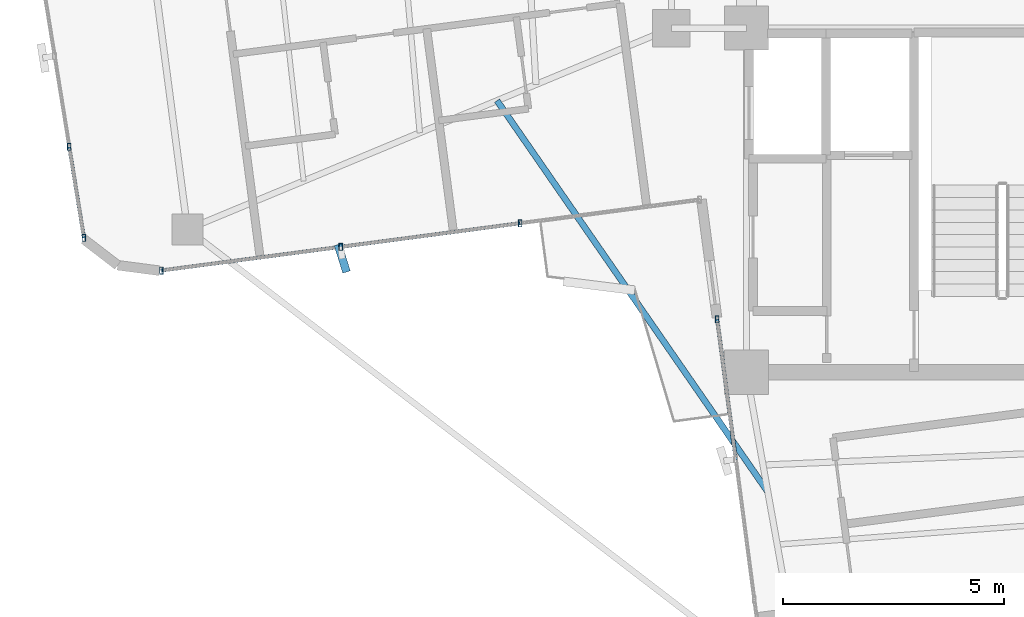
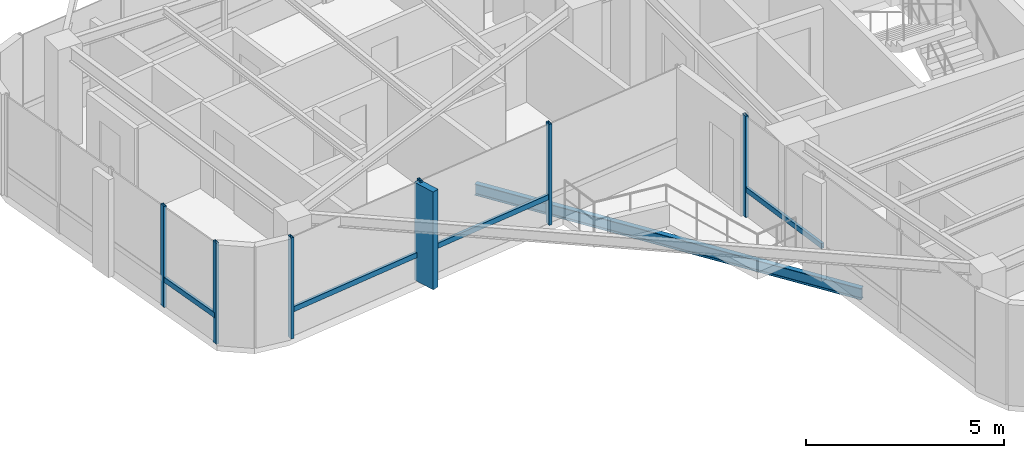
# One storey, part 2 of 22: 11 members, 1 beam, 3 elements without a shape of their own.
"""IFC4 building model written with IfcOpenShell, lengths in metres."""

from ifc_helpers import new_model, si_unit, direction, frame, origin, origin_2d, place, context, subcontext, project, spatial, rectangle, hollow_rectangle, i_section, extrude, source, transform, mapped, material, material_profile, profile_set, type_object, element, aggregate, save


model = new_model("IFC4")

# Units and contexts
model_context = context("Model", 3, precision=1e-05, world=origin(), true_north=direction((0.0, 1.0)))
body_context = subcontext(model_context, "Body", "Model", "MODEL_VIEW")
ifc_project = project(units=[si_unit("LENGTHUNIT", "METRE"), si_unit("AREAUNIT", "SQUARE_METRE"), si_unit("VOLUMEUNIT", "CUBIC_METRE"), si_unit("PLANEANGLEUNIT", "RADIAN"), si_unit("MASSUNIT", "GRAM", prefix="KILO")], contexts=[model_context])

# Site, building, storey
site_placement = place(None, origin())
site = spatial("IfcSite", under=ifc_project, at=site_placement, CompositionType="ELEMENT")
building_placement = place(site_placement, origin())
building = spatial("IfcBuilding", under=site, at=building_placement, Name="Sahyath Konkavel Grand Hotel", CompositionType="ELEMENT")
storey_placement = place(building_placement, frame((0.0, 0.0, 257.89990234375)))
storey = spatial("IfcBuildingStorey", under=building, at=storey_placement, Name="L72", CompositionType="ELEMENT", Elevation=257.89990234375)

# Curtain wall, member
ifc_material_1 = material(Name="Anodised Bronze Aluminium & Low-E Glazing", Category="aluminium")
curtain_wall_type = type_object("IfcCurtainWallType", Name="CW-ZONE4", PredefinedType="NOTDEFINED", material=ifc_material_1)
curtain_wall_1_placement = place(storey_placement, origin())
curtain_wall_1 = element("IfcCurtainWall", 1, at=curtain_wall_1_placement, inside=storey, type_object=curtain_wall_type, Name="L72 Unitised Curtain Wall F23", PredefinedType="NOTDEFINED")
ifc_material_2 = material(Name="Warm Buff Sandstone Cladding on Concrete C50/60", Category="masonry")
ifc_material_profile_1 = material_profile(ifc_material_2, rectangle(XDim=0.179931640625, YDim=0.64990234375, at=origin_2d()), Name="FIN 180x650")
ifc_profile_set_1 = profile_set([ifc_material_profile_1], Name="Warm Buff Sandstone Cladding on Concrete C50/60")
member_type_1 = type_object("IfcMemberType", Name="FIN-SANDSTONE-650", PredefinedType="MULLION", material=ifc_profile_set_1)
shared_shape_1 = source(origin(), body_context, "Body", "SweptSolid", [
    extrude(rectangle(XDim=0.179931640625, YDim=0.64990234375, at=origin_2d()), origin(), (0.0, 0.0, 1.0), 3.010009765625),
])
member_1_placement = place(storey_placement, frame((-12.96337890625, -7.6171875, 0.050048828125), z_axis=(0.0, 0.0, 1.0), x_axis=(0.954448865814, 0.298374534012, 0.0)))
member_1 = element("IfcMember", 2, at=member_1_placement, type_object=member_type_1, Name="L72 Sandstone Vertical Solar Fin FIN F23-1", PredefinedType="MULLION", context=body_context, shape_type="MappedRepresentation", body=[
    mapped(shared_shape_1, transform((0.0, 0.0, 0.0), scale=1.0)),
])

# Curtain wall, members
curtain_wall_2_placement = place(storey_placement, origin())
curtain_wall_2 = element("IfcCurtainWall", 3, at=curtain_wall_2_placement, inside=storey, type_object=curtain_wall_type, Name="L72 Unitised Curtain Wall F20", PredefinedType="NOTDEFINED")
ifc_material_3 = material(Name="Anodised Bronze Aluminium", Category="aluminium")
ifc_material_profile_2 = material_profile(ifc_material_3, hollow_rectangle(XDim=0.080078125, YDim=0.159912109375, WallThickness=0.006103515625, at=origin_2d()), Name="RHS 160x80x6")
ifc_profile_set_2 = profile_set([ifc_material_profile_2], Name="Anodised Bronze Aluminium")
member_type_2 = type_object("IfcMemberType", Name="CW-MUL-160", PredefinedType="MULLION", material=ifc_profile_set_2)
shared_shape_2 = source(origin(), body_context, "Body", "SweptSolid", [
    extrude(hollow_rectangle(XDim=0.080078125, YDim=0.159912109375, WallThickness=0.006103515625, at=origin_2d()), origin(), (0.0, 0.0, 1.0), 3.110107421875),
])
member_2_placement = place(storey_placement, frame((-19.15380859375, -5.09228515625, 0.0), z_axis=(0.0, 0.0, 1.0), x_axis=(1.0, 0.0, 0.0)))
member_2 = element("IfcMember", 4, at=member_2_placement, type_object=member_type_2, Name="L72 Curtain Wall Mullion F20-3", PredefinedType="MULLION", context=body_context, shape_type="MappedRepresentation", body=[
    mapped(shared_shape_2, transform((0.0, 0.0, 0.0), scale=1.0)),
])
member_3_placement = place(storey_placement, frame((-18.82080078125, -7.15283203125, 0.0), z_axis=(0.0, 0.0, 1.0), x_axis=(1.0, 0.0, 0.0)))
member_3 = element("IfcMember", 5, at=member_3_placement, type_object=member_type_2, Name="L72 Curtain Wall Mullion F20-4", PredefinedType="MULLION", context=body_context, shape_type="MappedRepresentation", body=[
    mapped(shared_shape_2, transform((0.0, 0.0, 0.0), scale=1.0)),
])

# Member
member_4_placement = place(storey_placement, frame((-17.0654296875, -7.89501953125, 0.0), z_axis=(0.0, 0.0, 1.0), x_axis=(1.0, 0.0, 0.0)))
member_4 = element("IfcMember", 6, at=member_4_placement, type_object=member_type_2, Name="L72 Curtain Wall Mullion F23-0", PredefinedType="MULLION", context=body_context, shape_type="MappedRepresentation", body=[
    mapped(shared_shape_2, transform((0.0, 0.0, 0.0), scale=1.0)),
])

member_5_placement = place(storey_placement, frame((-12.997314453125, -7.359619140625, 0.0), z_axis=(0.0, 0.0, 1.0), x_axis=(1.0, 0.0, 0.0)))
member_5 = element("IfcMember", 7, at=member_5_placement, type_object=member_type_2, Name="L72 Curtain Wall Mullion F23-1", PredefinedType="MULLION", context=body_context, shape_type="MappedRepresentation", body=[
    mapped(shared_shape_2, transform((0.0, 0.0, 0.0), scale=1.0)),
])

member_6_placement = place(storey_placement, frame((-8.928955078125, -6.82373046875, 0.0), z_axis=(0.0, 0.0, 1.0), x_axis=(1.0, 0.0, 0.0)))
member_6 = element("IfcMember", 8, at=member_6_placement, type_object=member_type_2, Name="L72 Curtain Wall Mullion F23-2", PredefinedType="MULLION", context=body_context, shape_type="MappedRepresentation", body=[
    mapped(shared_shape_2, transform((0.0, 0.0, 0.0), scale=1.0)),
])

# Curtain wall, members
curtain_wall_3_placement = place(storey_placement, origin())
curtain_wall_3 = element("IfcCurtainWall", 9, at=curtain_wall_3_placement, inside=storey, type_object=curtain_wall_type, Name="L72 Unitised Curtain Wall F24", PredefinedType="NOTDEFINED")
member_7_placement = place(storey_placement, frame((-4.46337890625, -8.99951171875, 0.0), z_axis=(0.0, 0.0, 1.0), x_axis=(1.0, 0.0, 0.0)))
member_7 = element("IfcMember", 10, at=member_7_placement, type_object=member_type_2, Name="L72 Curtain Wall Mullion F24-0", PredefinedType="MULLION", context=body_context, shape_type="MappedRepresentation", body=[
    mapped(shared_shape_2, transform((0.0, 0.0, 0.0), scale=1.0)),
])
ifc_material_profile_3 = material_profile(ifc_material_3, hollow_rectangle(XDim=0.080078125, YDim=0.159912109375, WallThickness=0.006103515625, at=origin_2d()), Name="RHS 160x80x6")
ifc_profile_set_3 = profile_set([ifc_material_profile_3], Name="Anodised Bronze Aluminium")
member_type_3 = type_object("IfcMemberType", Name="CW-TRN-160", PredefinedType="USERDEFINED", material=ifc_profile_set_3)
shared_shape_3 = source(origin(), body_context, "Body", "SweptSolid", [
    extrude(hollow_rectangle(XDim=0.080078125, YDim=0.159912109375, WallThickness=0.006103515625, at=origin_2d()), origin(), (0.0, 0.0, 1.0), 3.203369140625),
])
member_8_placement = place(storey_placement, frame((-4.46337890625, -8.99951171875, 0.85009765625), z_axis=(0.130476198668, -0.991451441867, 0.0), x_axis=(0.991451441867, 0.130476198668, 0.0)))
member_8 = element("IfcMember", 11, at=member_8_placement, type_object=member_type_3, Name="L72 Curtain Wall Transom F24-0-spandrel", ObjectType="TRANSOM", PredefinedType="USERDEFINED", context=body_context, shape_type="MappedRepresentation", body=[
    mapped(shared_shape_3, transform((0.0, 0.0, 0.0), scale=1.0)),
])
aggregate(curtain_wall_3, [member_7, member_8])

# Member
shared_shape_4 = source(origin(), body_context, "Body", "SweptSolid", [
    extrude(hollow_rectangle(XDim=0.080078125, YDim=0.159912109375, WallThickness=0.006103515625, at=origin_2d()), origin(), (0.0, 0.0, 1.0), 2.08740234375),
])
member_9_placement = place(storey_placement, frame((-19.15380859375, -5.09228515625, 0.85009765625), z_axis=(0.159541334591, -0.98719124923, 0.0), x_axis=(0.98719124923, 0.159541334591, 0.0)))
member_9 = element("IfcMember", 12, at=member_9_placement, type_object=member_type_3, Name="L72 Curtain Wall Transom F20-3-spandrel", ObjectType="TRANSOM", PredefinedType="USERDEFINED", context=body_context, shape_type="MappedRepresentation", body=[
    mapped(shared_shape_4, transform((0.0, 0.0, 0.0), scale=1.0)),
])

aggregate(curtain_wall_2, [member_2, member_3, member_9])

shared_shape_5 = source(origin(), body_context, "Body", "SweptSolid", [
    extrude(hollow_rectangle(XDim=0.080078125, YDim=0.159912109375, WallThickness=0.006103515625, at=origin_2d()), origin(), (0.0, 0.0, 1.0), 4.103271484375),
])
member_10_placement = place(storey_placement, frame((-17.0654296875, -7.89501953125, 0.85009765625), z_axis=(0.991450447248, 0.130483756275, 0.0), x_axis=(-0.130483756275, 0.991450447248, 0.0)))
member_10 = element("IfcMember", 13, at=member_10_placement, type_object=member_type_3, Name="L72 Curtain Wall Transom F23-0-spandrel", ObjectType="TRANSOM", PredefinedType="USERDEFINED", context=body_context, shape_type="MappedRepresentation", body=[
    mapped(shared_shape_5, transform((0.0, 0.0, 0.0), scale=1.0)),
])

shared_shape_6 = source(origin(), body_context, "Body", "SweptSolid", [
    extrude(hollow_rectangle(XDim=0.080078125, YDim=0.159912109375, WallThickness=0.006103515625, at=origin_2d()), origin(), (0.0, 0.0, 1.0), 4.103515625),
])
member_11_placement = place(storey_placement, frame((-12.997314453125, -7.359619140625, 0.85009765625), z_axis=(0.991436060505, 0.130593024052, 0.0), x_axis=(-0.130593024052, 0.991436060505, 0.0)))
member_11 = element("IfcMember", 14, at=member_11_placement, type_object=member_type_3, Name="L72 Curtain Wall Transom F23-1-spandrel", ObjectType="TRANSOM", PredefinedType="USERDEFINED", context=body_context, shape_type="MappedRepresentation", body=[
    mapped(shared_shape_6, transform((0.0, 0.0, 0.0), scale=1.0)),
])

aggregate(curtain_wall_1, [member_4, member_5, member_1, member_6, member_10, member_11])

# Beam
ifc_material_4 = material(Name="Steel E350", Category="steel")
ifc_material_profile_4 = material_profile(ifc_material_4, i_section(OverallWidth=0.139892578125, OverallDepth=0.35009765625, WebThickness=0.008056640625, FlangeThickness=0.01416015625, FilletRadius=0.013916015625, at=origin_2d()), Name="ISMB 350")
ifc_profile_set_4 = profile_set([ifc_material_profile_4], Name="Steel E350")
beam_type = type_object("IfcBeamType", Name="BM-BALC-CANT", PredefinedType="BEAM", material=ifc_profile_set_4)
shared_shape_7 = source(origin(), body_context, "Body", "SweptSolid", [
    extrude(i_section(OverallWidth=0.139892578125, OverallDepth=0.35009765625, WebThickness=0.008056640625, FlangeThickness=0.01416015625, FilletRadius=0.013916015625, at=origin_2d()), origin(), (0.0, 0.0, 1.0), 10.7822265625),
])
beam_placement = place(storey_placement, frame((-9.45458984375, -4.04345703125, -0.414794921875), z_axis=(0.569126378729, -0.82225006235, 0.0), x_axis=(0.82225006235, 0.569126378729, 0.0)))
element("IfcBeam", 15, at=beam_placement, inside=storey, type_object=beam_type, Name="L72 Balcony Cantilever Support Beam SW", PredefinedType="BEAM", context=body_context, shape_type="MappedRepresentation", body=[
    mapped(shared_shape_7, transform((0.0, 0.0, 0.0), scale=1.0)),
])

save(model, "model.ifc")
